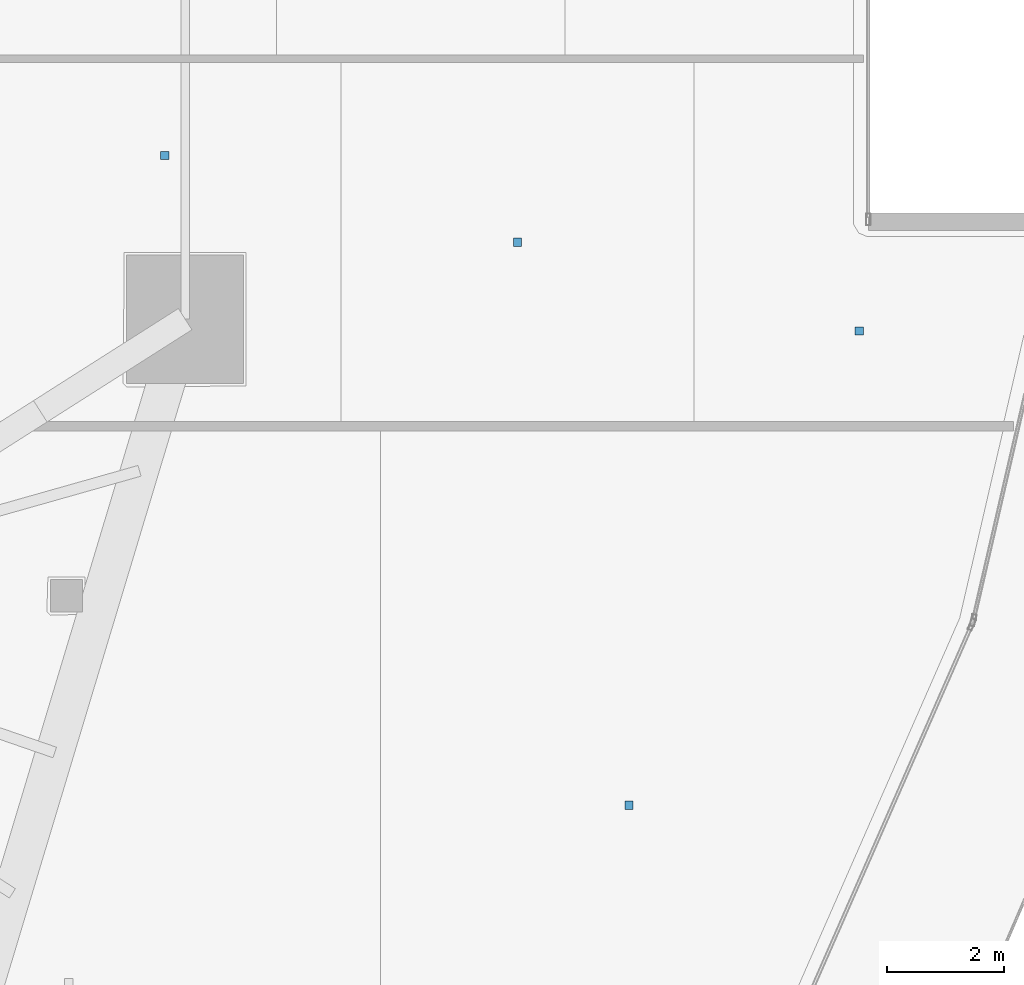
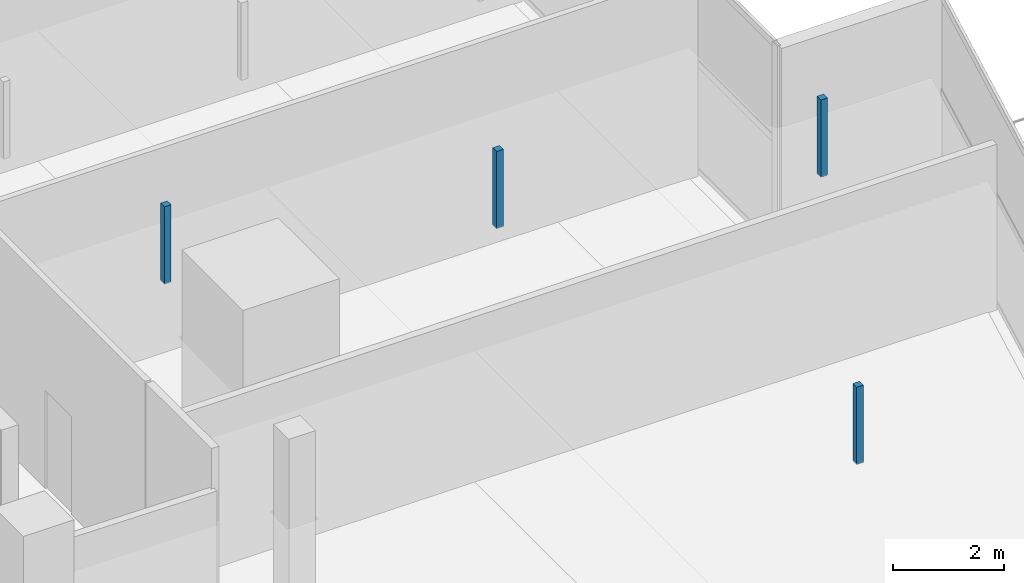
# One storey, part 30 of 42: 4 discrete accessories.
"""IFC4 building model written with IfcOpenShell, lengths in metres."""

from ifc_helpers import new_model, si_unit, direction, frame, origin, origin_2d, place, context, subcontext, project, spatial, rectangle, extrude, material, type_object, element, save


model = new_model("IFC4")

# Units and contexts
model_context = context("Model", 3, precision=1e-05, world=origin(), true_north=direction((0.0, 1.0)))
body_context = subcontext(model_context, "Body", "Model", "MODEL_VIEW")
ifc_project = project(units=[si_unit("LENGTHUNIT", "METRE"), si_unit("AREAUNIT", "SQUARE_METRE"), si_unit("VOLUMEUNIT", "CUBIC_METRE"), si_unit("PLANEANGLEUNIT", "RADIAN"), si_unit("MASSUNIT", "GRAM", prefix="KILO")], contexts=[model_context])

# Site, building, storey
site_placement = place(None, origin())
site = spatial("IfcSite", under=ifc_project, at=site_placement, CompositionType="ELEMENT")
building_placement = place(site_placement, origin())
building = spatial("IfcBuilding", under=site, at=building_placement, Name="Qorvath Tower", CompositionType="ELEMENT")
storey_placement = place(building_placement, frame((0.0, 0.0, 105.0)))
storey = spatial("IfcBuildingStorey", under=building, at=storey_placement, Name="L23", CompositionType="ELEMENT", Elevation=105.0)

# Discrete accessories
ifc_material = material(Name="Galvanised steel bracket", Category="steel")
discrete_accessory_type = type_object("IfcDiscreteAccessoryType", Name="DA-BRACKET", PredefinedType="BRACKET", material=ifc_material)
for number, where, z_axis, x_axis, name in (
    (1, (-2.180419921875, -15.033447265625, 2.860107421875), (0.0, 0.0, 1.0), (1.0, 0.0, 0.0), "Acoustic Ceiling Suspension Hanger T1-L23-021"),
    (2, (-10.120849609375, -3.92626953125, 2.860107421875), (0.0, 0.0, 1.0), (1.0, 0.0, 0.0), "Acoustic Ceiling Suspension Hanger T1-L23-022"),
    (3, (-4.0888671875, -5.406005859375, 2.860107421875), (0.0, 0.0, 1.0), (1.0, 0.0, 0.0), "Acoustic Ceiling Suspension Hanger T1-L23-023"),
    (4, (1.7568359375, -6.9248046875, 2.860107421875), (0.0, 0.0, 1.0), (1.0, 0.0, 0.0), "Acoustic Ceiling Suspension Hanger T1-L23-024"),
):
    element("IfcDiscreteAccessory", number, at=place(storey_placement, frame(where, z_axis=z_axis, x_axis=x_axis)), inside=storey, type_object=discrete_accessory_type, Name=name, PredefinedType="NOTDEFINED", context=body_context, shape_type="SweptSolid", body=[
        extrude(rectangle(XDim=0.139892578125, YDim=0.139892578125, at=origin_2d()), origin(), (0.0, 0.0, 1.0), 1.68994140625),
    ])

save(model, "model.ifc")
